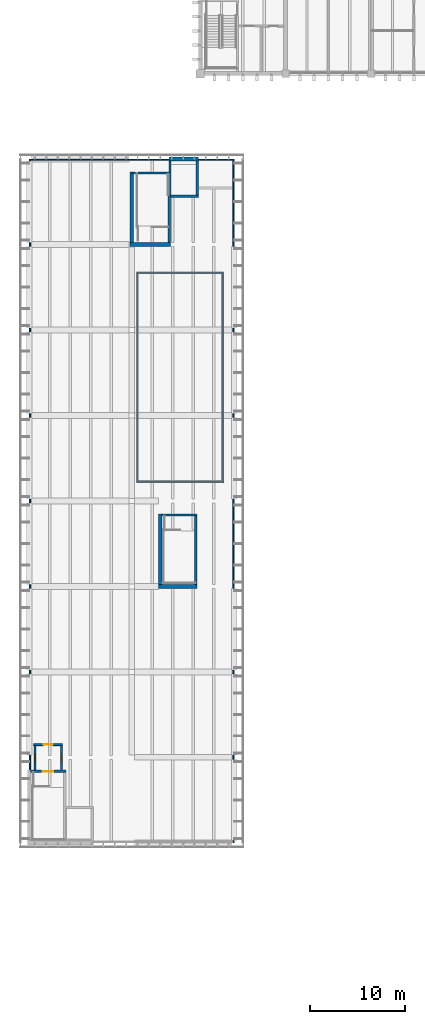
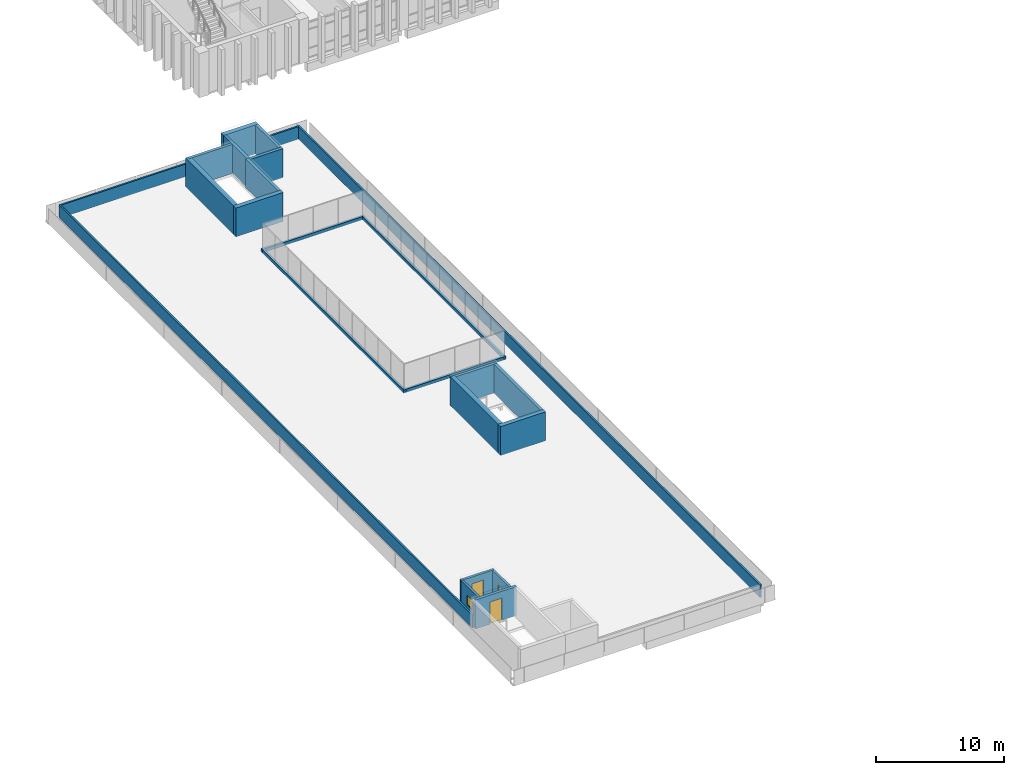
# One storey, part 18 of 29: 24 walls, 2 doors, 2 windows, 4 openings.
"""IFC4 building model written with IfcOpenShell, lengths in metres."""

from ifc_helpers import new_model, si_unit, direction, frame, frame_2d, origin, place, context, subcontext, project, spatial, rectangle, extrude, material, layer, layer_set, type_object, element, fill, save


model = new_model("IFC4")

# Units and contexts
model_context = context("Model", 3, precision=1e-05, world=origin(), true_north=direction((0.0, 1.0)))
body_context = subcontext(model_context, "Body", "Model", "MODEL_VIEW")
ifc_project = project(units=[si_unit("LENGTHUNIT", "METRE"), si_unit("AREAUNIT", "SQUARE_METRE"), si_unit("VOLUMEUNIT", "CUBIC_METRE"), si_unit("PLANEANGLEUNIT", "RADIAN"), si_unit("MASSUNIT", "GRAM", prefix="KILO")], contexts=[model_context])

# Site, building, storey
site_placement = place(None, origin())
site = spatial("IfcSite", under=ifc_project, at=site_placement, CompositionType="ELEMENT")
building_placement = place(site_placement, origin())
building = spatial("IfcBuilding", under=site, at=building_placement, Name="Merrow Basin Faculty of Sciences", CompositionType="ELEMENT")
storey_placement = place(building_placement, frame((0.0, 0.0, 22.5)))
storey = spatial("IfcBuildingStorey", under=building, at=storey_placement, Name="L05", CompositionType="ELEMENT", Elevation=22.5)

# Walls
ifc_material_1 = material(Name="Precast concrete C40/50", Category="concrete")
ifc_layer_1 = layer(ifc_material_1, 0.14990234375)
ifc_layer_set_1 = layer_set([ifc_layer_1], Name="Parapet 150 Precast concrete C40/50")
wall_type_1 = type_object("IfcWallType", Name="Parapet 150 Precast concrete C40/50", PredefinedType="PARAPET", material=ifc_layer_set_1)
wall_1_placement = place(storey_placement, frame((0.074951171875, 68.64990234375, 0.0), z_axis=(0.0, 0.0, 1.0), x_axis=(0.0, 1.0, 0.0)))
element("IfcWall", 1, at=wall_1_placement, inside=storey, type_object=wall_type_1, Name="West parapet 1", PredefinedType="PARAPET", context=body_context, shape_type="SweptSolid", body=[
    extrude(rectangle(XDim=64.35009765625, YDim=0.14990234375, at=frame_2d((32.175048828125, 0.0))), origin(), (0.0, 0.0, 1.0), 1.199951171875),
])
wall_2_placement = place(storey_placement, frame((21.52490234375, 133.0, 0.0), z_axis=(0.0, 0.0, 1.0), x_axis=(0.0, -1.0, 0.0)))
element("IfcWall", 2, at=wall_2_placement, inside=storey, type_object=wall_type_1, Name="East parapet 1", PredefinedType="PARAPET", context=body_context, shape_type="SweptSolid", body=[
    extrude(rectangle(XDim=72.0, YDim=0.14990234375, at=frame_2d((36.0, 0.0))), origin(), (0.0, 0.0, 1.0), 1.199951171875),
])
wall_3_placement = place(storey_placement, frame((0.14990234375, 132.925048828125, 0.0), z_axis=(0.0, 0.0, 1.0), x_axis=(1.0, 0.0, 0.0)))
element("IfcWall", 3, at=wall_3_placement, inside=storey, type_object=wall_type_1, Name="North parapet 1", PredefinedType="PARAPET", context=body_context, shape_type="SweptSolid", body=[
    extrude(rectangle(XDim=14.550048828125, YDim=0.14990234375, at=frame_2d((7.27490234375, 0.0))), origin(), (0.0, 0.0, 1.0), 1.199951171875),
])
wall_4_placement = place(storey_placement, frame((17.800048828125, 132.925048828125, 0.0), z_axis=(0.0, 0.0, 1.0), x_axis=(1.0, 0.0, 0.0)))
element("IfcWall", 4, at=wall_4_placement, inside=storey, type_object=wall_type_1, Name="North parapet 2", PredefinedType="PARAPET", context=body_context, shape_type="SweptSolid", body=[
    extrude(rectangle(XDim=3.64990234375, YDim=0.14990234375, at=frame_2d((1.824951171875, 0.0))), origin(), (0.0, 0.0, 1.0), 1.199951171875),
])
ifc_material_2 = material(Name="Precast concrete C40/50", Category="concrete")
ifc_layer_2 = layer(ifc_material_2, 0.199951171875)
ifc_layer_set_2 = layer_set([ifc_layer_2], Name="Plant plinth 200 Precast concrete C40/50")
wall_type_2 = type_object("IfcWallType", Name="Plant plinth 200 Precast concrete C40/50", PredefinedType="STANDARD", material=ifc_layer_set_2)
wall_5_placement = place(storey_placement, frame((11.300048828125, 99.0, 0.0), z_axis=(0.0, 0.0, 1.0), x_axis=(1.0, 0.0, 0.0)))
element("IfcWall", 5, at=wall_5_placement, inside=storey, type_object=wall_type_2, Name="Plant plinth", PredefinedType="STANDARD", context=body_context, shape_type="SweptSolid", body=[
    extrude(rectangle(XDim=9.199951171875, YDim=0.199951171875, at=frame_2d((4.60009765625, 0.0))), origin(), (0.0, 0.0, 1.0), 0.300048828125),
])
wall_6_placement = place(storey_placement, frame((20.39990234375, 98.89990234375, 0.0), z_axis=(0.0, 0.0, 1.0), x_axis=(0.0, 1.0, 0.0)))
element("IfcWall", 6, at=wall_6_placement, inside=storey, type_object=wall_type_2, Name="Plant plinth", PredefinedType="STANDARD", context=body_context, shape_type="SweptSolid", body=[
    extrude(rectangle(XDim=22.2001953125, YDim=0.199951171875, at=frame_2d((11.10009765625, 0.0))), origin(), (0.0, 0.0, 1.0), 0.300048828125),
])
wall_7_placement = place(storey_placement, frame((20.5, 121.0, 0.0), z_axis=(0.0, 0.0, 1.0), x_axis=(-1.0, 0.0, 0.0)))
element("IfcWall", 7, at=wall_7_placement, inside=storey, type_object=wall_type_2, Name="Plant plinth", PredefinedType="STANDARD", context=body_context, shape_type="SweptSolid", body=[
    extrude(rectangle(XDim=9.199951171875, YDim=0.199951171875, at=frame_2d((4.60009765625, 0.0))), origin(), (0.0, 0.0, 1.0), 0.300048828125),
])
wall_8_placement = place(storey_placement, frame((11.39990234375, 121.10009765625, 0.0), z_axis=(0.0, 0.0, 1.0), x_axis=(0.0, -1.0, 0.0)))
element("IfcWall", 8, at=wall_8_placement, inside=storey, type_object=wall_type_2, Name="Plant plinth", PredefinedType="STANDARD", context=body_context, shape_type="SweptSolid", body=[
    extrude(rectangle(XDim=22.2001953125, YDim=0.199951171875, at=frame_2d((11.10009765625, 0.0))), origin(), (0.0, 0.0, 1.0), 0.300048828125),
])

# Wall, opening, window
ifc_material_3 = material(Name="Concrete C40/50", Category="concrete")
ifc_layer_3 = layer(ifc_material_3, 0.199951171875)
ifc_layer_set_3 = layer_set([ifc_layer_3], Name="Roof lobby wall 200 Concrete C40/50")
wall_type_3 = type_object("IfcWallType", Name="Roof lobby wall 200 Concrete C40/50", PredefinedType="SOLIDWALL", material=ifc_layer_set_3)
wall_9_placement = place(storey_placement, frame((0.60009765625, 68.64990234375, 0.0), z_axis=(0.0, 0.0, 1.0), x_axis=(0.0, 1.0, 0.0)))
wall_9 = element("IfcWall", 9, at=wall_9_placement, inside=storey, type_object=wall_type_3, Name="Roof lobby", PredefinedType="SOLIDWALL", context=body_context, shape_type="SweptSolid", body=[
    extrude(rectangle(XDim=2.60009765625, YDim=0.199951171875, at=frame_2d((1.300048828125, 0.0))), origin(), (0.0, 0.0, 1.0), 2.75),
])
opening_1_placement = place(wall_9_placement, frame((0.89990234375, 0.0, 1.0)))
opening_1 = element("IfcOpeningElement", 10, at=opening_1_placement, cuts=wall_9, Name="Opening WN4", PredefinedType="OPENING", context=body_context, shape_type="SweptSolid", body=[
    extrude(rectangle(XDim=0.800048828125, YDim=0.89990234375, at=frame_2d((0.39990234375, 0.449951171875))), frame((0.0, 0.10986328125, 0.0), z_axis=(0.0, -1.0, 0.0), x_axis=(1.0, 0.0, 0.0)), (0.0, 0.0, 1.0), 0.219970703125),
])
ifc_material_4 = material(Name="Low-E double glazing", Category="glass")
window_type = type_object("IfcWindowType", Name="Roof lobby window 800 x 900", PartitioningType="SINGLE_PANEL", PredefinedType="WINDOW", material=ifc_material_4)
window_1_placement = place(opening_1_placement, origin())
window_1 = element("IfcWindow", 11, at=window_1_placement, inside=storey, type_object=window_type, Name="Roof lobby window", OverallHeight=0.89990234375, OverallWidth=0.800048828125, PartitioningType="SINGLE_PANEL", PredefinedType="WINDOW", context=body_context, shape_type="SweptSolid", body=[
    extrude(rectangle(XDim=0.800048828125, YDim=0.89990234375, at=frame_2d((0.39990234375, 0.449951171875))), frame((0.0, 0.030029296875, 0.0), z_axis=(0.0, -1.0, 0.0), x_axis=(1.0, 0.0, 0.0)), (0.0, 0.0, 1.0), 0.06005859375),
])
fill(opening_1, window_1)

wall_10_placement = place(storey_placement, frame((3.39990234375, 71.25, 0.0), z_axis=(0.0, 0.0, 1.0), x_axis=(0.0, -1.0, 0.0)))
wall_10 = element("IfcWall", 12, at=wall_10_placement, inside=storey, type_object=wall_type_3, Name="Roof lobby", PredefinedType="SOLIDWALL", context=body_context, shape_type="SweptSolid", body=[
    extrude(rectangle(XDim=2.60009765625, YDim=0.199951171875, at=frame_2d((1.300048828125, 0.0))), origin(), (0.0, 0.0, 1.0), 2.75),
])
opening_2_placement = place(wall_10_placement, frame((0.89990234375, 0.0, 1.0)))
opening_2 = element("IfcOpeningElement", 13, at=opening_2_placement, cuts=wall_10, Name="Opening WN4", PredefinedType="OPENING", context=body_context, shape_type="SweptSolid", body=[
    extrude(rectangle(XDim=0.800048828125, YDim=0.89990234375, at=frame_2d((0.39990234375, 0.449951171875))), frame((0.0, 0.10986328125, 0.0), z_axis=(0.0, -1.0, 0.0), x_axis=(1.0, 0.0, 0.0)), (0.0, 0.0, 1.0), 0.219970703125),
])
window_2_placement = place(opening_2_placement, origin())
window_2 = element("IfcWindow", 14, at=window_2_placement, inside=storey, type_object=window_type, Name="Roof lobby window", OverallHeight=0.89990234375, OverallWidth=0.800048828125, PartitioningType="SINGLE_PANEL", PredefinedType="WINDOW", context=body_context, shape_type="SweptSolid", body=[
    extrude(rectangle(XDim=0.800048828125, YDim=0.89990234375, at=frame_2d((0.39990234375, 0.449951171875))), frame((0.0, 0.030029296875, 0.0), z_axis=(0.0, -1.0, 0.0), x_axis=(1.0, 0.0, 0.0)), (0.0, 0.0, 1.0), 0.06005859375),
])
fill(opening_2, window_2)

# Wall, opening, door
wall_11_placement = place(storey_placement, frame((0.5, 71.35009765625, 0.0), z_axis=(0.0, 0.0, 1.0), x_axis=(1.0, 0.0, 0.0)))
wall_11 = element("IfcWall", 15, at=wall_11_placement, inside=storey, type_object=wall_type_3, Name="Roof lobby", PredefinedType="SOLIDWALL", context=body_context, shape_type="SweptSolid", body=[
    extrude(rectangle(XDim=3.0, YDim=0.199951171875, at=frame_2d((1.5, 0.0))), origin(), (0.0, 0.0, 1.0), 2.75),
])
opening_3_placement = place(wall_11_placement, frame((1.0, 0.0, 0.0)))
opening_3 = element("IfcOpeningElement", 16, at=opening_3_placement, cuts=wall_11, Name="Opening D05B002", PredefinedType="OPENING", context=body_context, shape_type="SweptSolid", body=[
    extrude(rectangle(XDim=1.0, YDim=2.10009765625, at=frame_2d((0.5, 1.050048828125))), frame((0.0, 0.10986328125, 0.0), z_axis=(0.0, -1.0, 0.0), x_axis=(1.0, 0.0, 0.0)), (0.0, 0.0, 1.0), 0.219970703125),
])
ifc_material_5 = material(Name="Fire-rated steel door", Category="steel")
door_type_1 = type_object("IfcDoorType", Name="Fire door FD60 1000 x 2100", OperationType="NOTDEFINED", PredefinedType="DOOR", material=ifc_material_5)
door_1_placement = place(opening_3_placement, origin())
door_1 = element("IfcDoor", 17, at=door_1_placement, inside=storey, type_object=door_type_1, Name="Roof access door", OperationType="SINGLE_SWING_RIGHT", OverallHeight=2.10009765625, OverallWidth=1.0, PredefinedType="DOOR", context=body_context, shape_type="SweptSolid", body=[
    extrude(rectangle(XDim=1.0, YDim=2.10009765625, at=frame_2d((0.5, 1.050048828125))), frame((0.0, 0.02490234375, 0.0), z_axis=(0.0, -1.0, 0.0), x_axis=(1.0, 0.0, 0.0)), (0.0, 0.0, 1.0), 0.050048828125),
])
fill(opening_3, door_1)

ifc_material_6 = material(Name="Concrete C40/50", Category="concrete")
ifc_layer_4 = layer(ifc_material_6, 0.25)
ifc_layer_set_4 = layer_set([ifc_layer_4], Name="Shear wall 250 Concrete C40/50")
wall_type_4 = type_object("IfcWallType", Name="Shear wall 250 Concrete C40/50", PredefinedType="SHEAR", material=ifc_layer_set_4)
wall_12_placement = place(storey_placement, frame((0.14990234375, 68.52490234375, 0.0), z_axis=(0.0, 0.0, 1.0), x_axis=(1.0, 0.0, 0.0)))
wall_12 = element("IfcWall", 18, at=wall_12_placement, inside=storey, type_object=wall_type_4, Name="SW2 L05 002", PredefinedType="SHEAR", context=body_context, shape_type="SweptSolid", body=[
    extrude(rectangle(XDim=3.7001953125, YDim=0.25, at=frame_2d((1.85009765625, 0.0))), origin(), (0.0, 0.0, 1.0), 2.75),
])
opening_4_placement = place(wall_12_placement, frame((1.300048828125, 0.0, 0.0)))
opening_4 = element("IfcOpeningElement", 19, at=opening_4_placement, cuts=wall_12, Name="Opening D05B001", PredefinedType="OPENING", context=body_context, shape_type="SweptSolid", body=[
    extrude(rectangle(XDim=1.10009765625, YDim=2.10009765625, at=frame_2d((0.550048828125, 1.050048828125))), frame((0.0, 0.135009765625, 0.0), z_axis=(0.0, -1.0, 0.0), x_axis=(1.0, 0.0, 0.0)), (0.0, 0.0, 1.0), 0.27001953125),
])
ifc_material_7 = material(Name="Fire-rated steel door", Category="steel")
door_type_2 = type_object("IfcDoorType", Name="Fire door FD90 1100 x 2100", OperationType="NOTDEFINED", PredefinedType="DOOR", material=ifc_material_7)
door_2_placement = place(opening_4_placement, origin())
door_2 = element("IfcDoor", 20, at=door_2_placement, inside=storey, type_object=door_type_2, Name="Roof stair door", OperationType="SINGLE_SWING_RIGHT", OverallHeight=2.10009765625, OverallWidth=1.10009765625, PredefinedType="DOOR", context=body_context, shape_type="SweptSolid", body=[
    extrude(rectangle(XDim=1.10009765625, YDim=2.10009765625, at=frame_2d((0.550048828125, 1.050048828125))), frame((0.0, 0.02490234375, 0.0), z_axis=(0.0, -1.0, 0.0), x_axis=(1.0, 0.0, 0.0)), (0.0, 0.0, 1.0), 0.050048828125),
])
fill(opening_4, door_2)

# Walls
wall_13_placement = place(storey_placement, frame((13.949951171875, 95.52490234375, 0.0), z_axis=(0.0, 0.0, 1.0), x_axis=(1.0, 0.0, 0.0)))
element("IfcWall", 21, at=wall_13_placement, inside=storey, type_object=wall_type_4, Name="SW2 L05 009", PredefinedType="SHEAR", context=body_context, shape_type="SweptSolid", body=[
    extrude(rectangle(XDim=3.699951171875, YDim=0.25, at=frame_2d((1.85009765625, 0.0))), origin(), (0.0, 0.0, 1.0), 2.75),
])
wall_14_placement = place(storey_placement, frame((17.52490234375, 88.199951171875, 0.0), z_axis=(0.0, 0.0, 1.0), x_axis=(0.0, 1.0, 0.0)))
element("IfcWall", 22, at=wall_14_placement, inside=storey, type_object=wall_type_4, Name="SW2 L05 011", PredefinedType="SHEAR", context=body_context, shape_type="SweptSolid", body=[
    extrude(rectangle(XDim=7.199951171875, YDim=0.25, at=frame_2d((3.60009765625, 0.0))), origin(), (0.0, 0.0, 1.0), 2.75),
])
wall_15_placement = place(storey_placement, frame((10.800048828125, 131.52490234375, 0.0), z_axis=(0.0, 0.0, 1.0), x_axis=(1.0, 0.0, 0.0)))
element("IfcWall", 23, at=wall_15_placement, inside=storey, type_object=wall_type_4, Name="SW2 L05 013", PredefinedType="SHEAR", context=body_context, shape_type="SweptSolid", body=[
    extrude(rectangle(XDim=4.050048828125, YDim=0.25, at=frame_2d((2.02490234375, 0.0))), origin(), (0.0, 0.0, 1.0), 2.75),
])
wall_16_placement = place(storey_placement, frame((14.72509765625, 124.199951171875, 0.0), z_axis=(0.0, 0.0, 1.0), x_axis=(0.0, 1.0, 0.0)))
element("IfcWall", 24, at=wall_16_placement, inside=storey, type_object=wall_type_4, Name="SW2 L05 015", PredefinedType="SHEAR", context=body_context, shape_type="SweptSolid", body=[
    extrude(rectangle(XDim=5.0, YDim=0.25, at=frame_2d((2.5, 0.0))), origin(), (0.0, 0.0, 1.0), 2.75),
])
wall_17_placement = place(storey_placement, frame((14.85009765625, 129.074951171875, 0.0), z_axis=(0.0, 0.0, 1.0), x_axis=(1.0, 0.0, 0.0)))
element("IfcWall", 25, at=wall_17_placement, inside=storey, type_object=wall_type_4, Name="SW2 L05 016", PredefinedType="SHEAR", context=body_context, shape_type="SweptSolid", body=[
    extrude(rectangle(XDim=2.949951171875, YDim=0.25, at=frame_2d((1.47509765625, 0.0))), origin(), (0.0, 0.0, 1.0), 2.75),
])
for number, where, z_axis, x_axis, name in (
    (26, (14.824951171875, 129.199951171875, 0.0), (0.0, 0.0, 1.0), (0.0, 1.0, 0.0), "SW2 L05 018"),
    (27, (17.675048828125, 129.199951171875, 0.0), (0.0, 0.0, 1.0), (0.0, 1.0, 0.0), "SW2 L05 019"),
):
    element("IfcWall", number, at=place(storey_placement, frame(where, z_axis=z_axis, x_axis=x_axis)), inside=storey, type_object=wall_type_4, Name=name, PredefinedType="SHEAR", context=body_context, shape_type="SweptSolid", body=[
        extrude(rectangle(XDim=3.60009765625, YDim=0.25, at=frame_2d((1.800048828125, 0.0))), origin(), (0.0, 0.0, 1.0), 2.75),
    ])
ifc_material_8 = material(Name="Concrete C40/50", Category="concrete")
ifc_layer_5 = layer(ifc_material_8, 0.39990234375)
ifc_layer_set_5 = layer_set([ifc_layer_5], Name="Shear wall 400 Concrete C40/50")
wall_type_5 = type_object("IfcWallType", Name="Shear wall 400 Concrete C40/50", PredefinedType="SHEAR", material=ifc_layer_set_5)
wall_18_placement = place(storey_placement, frame((13.60009765625, 88.0, 0.0), z_axis=(0.0, 0.0, 1.0), x_axis=(1.0, 0.0, 0.0)))
element("IfcWall", 28, at=wall_18_placement, inside=storey, type_object=wall_type_5, Name="SW1 L05 008", PredefinedType="SHEAR", context=body_context, shape_type="SweptSolid", body=[
    extrude(rectangle(XDim=4.0498046875, YDim=0.39990234375, at=frame_2d((2.02490234375, 0.0))), origin(), (0.0, 0.0, 1.0), 2.75),
])
wall_19_placement = place(storey_placement, frame((13.800048828125, 88.199951171875, 0.0), z_axis=(0.0, 0.0, 1.0), x_axis=(0.0, 1.0, 0.0)))
element("IfcWall", 29, at=wall_19_placement, inside=storey, type_object=wall_type_5, Name="SW1 L05 010", PredefinedType="SHEAR", context=body_context, shape_type="SweptSolid", body=[
    extrude(rectangle(XDim=7.449951171875, YDim=0.39990234375, at=frame_2d((3.72509765625, 0.0))), origin(), (0.0, 0.0, 1.0), 2.75),
])
wall_20_placement = place(storey_placement, frame((10.60009765625, 124.0, 0.0), z_axis=(0.0, 0.0, 1.0), x_axis=(1.0, 0.0, 0.0)))
element("IfcWall", 30, at=wall_20_placement, inside=storey, type_object=wall_type_5, Name="SW1 L05 012", PredefinedType="SHEAR", context=body_context, shape_type="SweptSolid", body=[
    extrude(rectangle(XDim=4.25, YDim=0.39990234375, at=frame_2d((2.125, 0.0))), origin(), (0.0, 0.0, 1.0), 2.75),
])
wall_21_placement = place(storey_placement, frame((10.800048828125, 124.199951171875, 0.0), z_axis=(0.0, 0.0, 1.0), x_axis=(0.0, 1.0, 0.0)))
element("IfcWall", 31, at=wall_21_placement, inside=storey, type_object=wall_type_5, Name="SW1 L05 014", PredefinedType="SHEAR", context=body_context, shape_type="SweptSolid", body=[
    extrude(rectangle(XDim=7.449951171875, YDim=0.39990234375, at=frame_2d((3.72509765625, 0.0))), origin(), (0.0, 0.0, 1.0), 2.75),
])
wall_22_placement = place(storey_placement, frame((14.699951171875, 133.0, 0.0), z_axis=(0.0, 0.0, 1.0), x_axis=(1.0, 0.0, 0.0)))
element("IfcWall", 32, at=wall_22_placement, inside=storey, type_object=wall_type_5, Name="SW1 L05 017", PredefinedType="SHEAR", context=body_context, shape_type="SweptSolid", body=[
    extrude(rectangle(XDim=3.10009765625, YDim=0.39990234375, at=frame_2d((1.550048828125, 0.0))), origin(), (0.0, 0.0, 1.0), 2.75),
])

save(model, "model.ifc")
